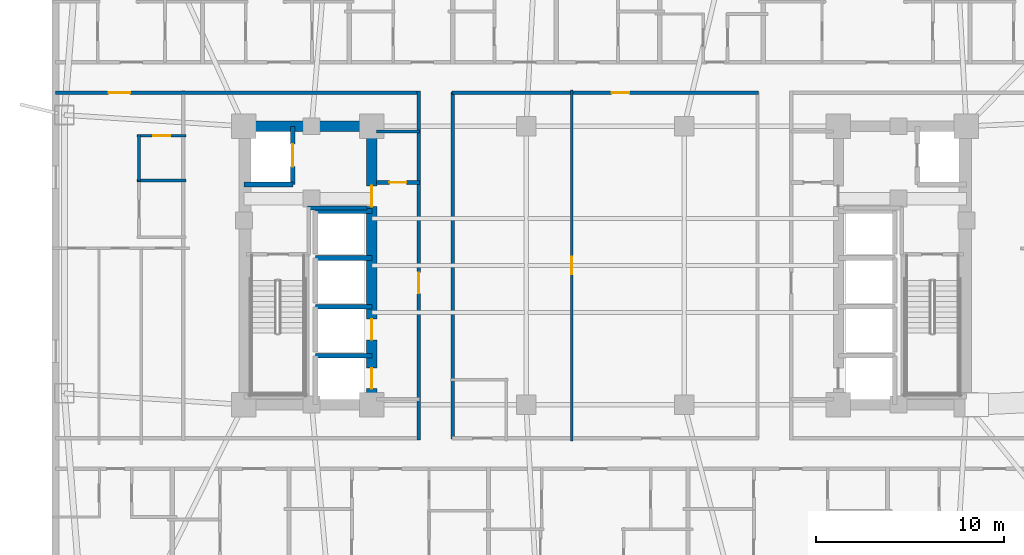
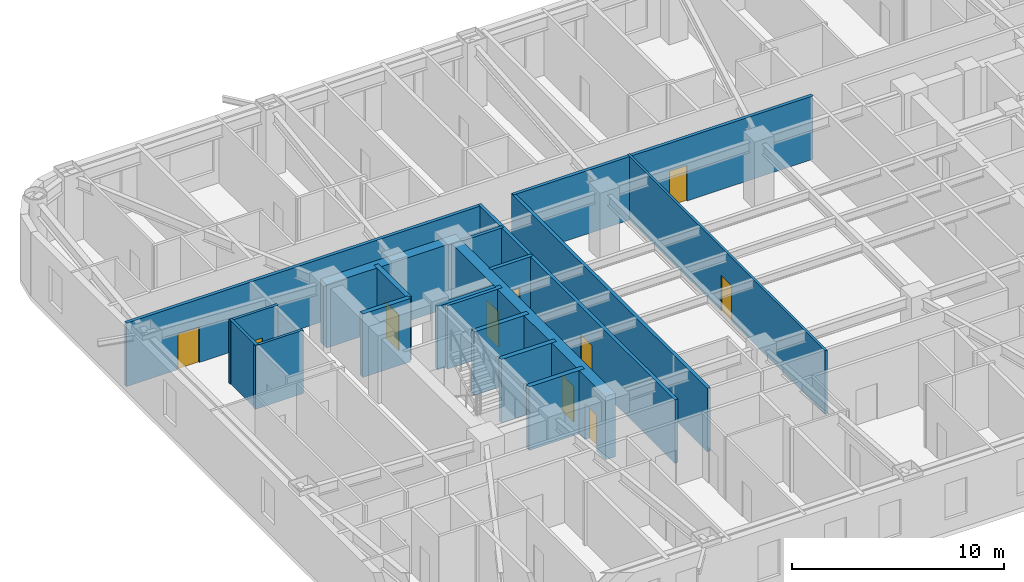
# One storey, part 4 of 12: 19 walls, 10 doors, 10 openings.
"""IFC4 building model written with IfcOpenShell, lengths in metres."""

from ifc_helpers import new_model, si_unit, direction, frame, frame_2d, origin, place, context, subcontext, project, spatial, rectangle, extrude, material, layer, layer_set, type_object, element, fill, save


model = new_model("IFC4")

# Units and contexts
model_context = context("Model", 3, precision=1e-05, world=origin(), true_north=direction((0.0, 1.0)))
body_context = subcontext(model_context, "Body", "Model", "MODEL_VIEW")
ifc_project = project(units=[si_unit("LENGTHUNIT", "METRE"), si_unit("AREAUNIT", "SQUARE_METRE"), si_unit("VOLUMEUNIT", "CUBIC_METRE"), si_unit("PLANEANGLEUNIT", "RADIAN"), si_unit("MASSUNIT", "GRAM", prefix="KILO")], contexts=[model_context])

# Site, building, storey
site_placement = place(None, origin())
site = spatial("IfcSite", under=ifc_project, at=site_placement, CompositionType="ELEMENT")
building_placement = place(site_placement, origin())
building = spatial("IfcBuilding", under=site, at=building_placement, Name="Voryun Gate Residences", CompositionType="ELEMENT")
storey_placement = place(building_placement, frame((0.0, 0.0, 109.199951171875)))
storey = spatial("IfcBuildingStorey", under=building, at=storey_placement, Name="L26", CompositionType="ELEMENT", Elevation=109.199951171875)

# Wall
ifc_material_1 = material(Name="Concrete C60/75", Category="concrete")
ifc_layer_1 = layer(ifc_material_1, 0.550048828125, Name="CW_CORE_550")
ifc_layer_set_1 = layer_set([ifc_layer_1], Name="Concrete C60/75")
wall_type_1 = type_object("IfcWallType", Name="CW_CORE_550", PredefinedType="SHEAR", material=ifc_layer_set_1)
wall_1_placement = place(storey_placement, frame((-19.47509765625, 7.39990234375, 0.0), z_axis=(0.0, 0.0, 1.0), x_axis=(1.0, 0.0, 0.0)))
element("IfcWall", 1, at=wall_1_placement, inside=storey, type_object=wall_type_1, Name="L26 Core shear wall CW-L26-WN", PredefinedType="SHEAR", context=body_context, shape_type="SweptSolid", body=[
    extrude(rectangle(XDim=7.35009765625, YDim=0.550048828125, at=frame_2d((3.675048828125, 0.0))), origin(), (0.0, 0.0, 1.0), 3.650146484375),
])

# Wall, openings, doors
wall_2_placement = place(storey_placement, frame((-12.39990234375, -7.39990234375, 0.0), z_axis=(0.0, 0.0, 1.0), x_axis=(0.0, 1.0, 0.0)))
wall_2 = element("IfcWall", 2, at=wall_2_placement, inside=storey, type_object=wall_type_1, Name="L26 Core shear wall CW-L26-WE", PredefinedType="SHEAR", context=body_context, shape_type="SweptSolid", body=[
    extrude(rectangle(XDim=14.7998046875, YDim=0.550048828125, at=frame_2d((7.39990234375, 0.0))), origin(), (0.0, 0.0, 1.0), 3.650146484375),
])
opening_1_placement = place(wall_2_placement, frame((0.85009765625, 0.0, 0.0)))
opening_1 = element("IfcOpeningElement", 3, at=opening_1_placement, cuts=wall_2, Name="Opening LD2", PredefinedType="OPENING", context=body_context, shape_type="SweptSolid", body=[
    extrude(rectangle(XDim=1.10009765625, YDim=2.050048828125, at=frame_2d((0.550048828125, 1.02490234375))), frame((0.0, 0.284912109375, 0.0), z_axis=(0.0, -1.0, 0.0), x_axis=(1.0, 0.0, 0.0)), (0.0, 0.0, 1.0), 0.570068359375),
])
opening_2_placement = place(wall_2_placement, frame((3.449951171875, 0.0, 0.0)))
opening_2 = element("IfcOpeningElement", 4, at=opening_2_placement, cuts=wall_2, Name="Opening LD2", PredefinedType="OPENING", context=body_context, shape_type="SweptSolid", body=[
    extrude(rectangle(XDim=1.10009765625, YDim=2.050048828125, at=frame_2d((0.550048828125, 1.02490234375))), frame((0.0, 0.284912109375, 0.0), z_axis=(0.0, -1.0, 0.0), x_axis=(1.0, 0.0, 0.0)), (0.0, 0.0, 1.0), 0.570068359375),
])
opening_3_placement = place(wall_2_placement, frame((10.530029296875, 0.0, 0.0)))
opening_3 = element("IfcOpeningElement", 5, at=opening_3_placement, cuts=wall_2, Name="Opening D-FD60-2", PredefinedType="OPENING", context=body_context, shape_type="SweptSolid", body=[
    extrude(rectangle(XDim=1.10009765625, YDim=2.050048828125, at=frame_2d((0.550048828125, 1.02490234375))), frame((0.0, 0.284912109375, 0.0), z_axis=(0.0, -1.0, 0.0), x_axis=(1.0, 0.0, 0.0)), (0.0, 0.0, 1.0), 0.570068359375),
])
ifc_material_2 = material(Name="Painted steel fire door", Category="steel")
door_type_1 = type_object("IfcDoorType", Name="DR_FD60_FFLOB_1100", OperationType="NOTDEFINED", PredefinedType="DOOR", material=ifc_material_2)
door_1_placement = place(opening_3_placement, origin())
door_1 = element("IfcDoor", 6, at=door_1_placement, inside=storey, type_object=door_type_1, Name="Door DR-L26-CLOB-W", OperationType="SINGLE_SWING_LEFT", OverallHeight=2.050048828125, OverallWidth=1.10009765625, PredefinedType="DOOR", context=body_context, shape_type="SweptSolid", body=[
    extrude(rectangle(XDim=1.10009765625, YDim=2.050048828125, at=frame_2d((0.550048828125, 1.02490234375))), frame((0.0, 0.02490234375, 0.0), z_axis=(0.0, -1.0, 0.0), x_axis=(1.0, 0.0, 0.0)), (0.0, 0.0, 1.0), 0.050048828125),
])
fill(opening_3, door_1)
ifc_material_3 = material(Name="Anodised aluminium", Category="aluminium")
door_type_2 = type_object("IfcDoorType", Name="DR_LD_PASS_1100", OperationType="NOTDEFINED", PredefinedType="DOOR", material=ifc_material_3)
door_2_placement = place(opening_1_placement, origin())
door_2 = element("IfcDoor", 7, at=door_2_placement, inside=storey, type_object=door_type_2, Name="Lift EL-P1 sliding landing door L26", OperationType="SLIDING_TO_LEFT", OverallHeight=2.050048828125, OverallWidth=1.10009765625, PredefinedType="DOOR", context=body_context, shape_type="SweptSolid", body=[
    extrude(rectangle(XDim=1.10009765625, YDim=2.050048828125, at=frame_2d((0.550048828125, 1.02490234375))), frame((0.0, 0.02490234375, 0.0), z_axis=(0.0, -1.0, 0.0), x_axis=(1.0, 0.0, 0.0)), (0.0, 0.0, 1.0), 0.050048828125),
])
fill(opening_1, door_2)
door_3_placement = place(opening_2_placement, origin())
door_3 = element("IfcDoor", 8, at=door_3_placement, inside=storey, type_object=door_type_2, Name="Lift EL-P2 sliding landing door L26", OperationType="SLIDING_TO_LEFT", OverallHeight=2.050048828125, OverallWidth=1.10009765625, PredefinedType="DOOR", context=body_context, shape_type="SweptSolid", body=[
    extrude(rectangle(XDim=1.10009765625, YDim=2.050048828125, at=frame_2d((0.550048828125, 1.02490234375))), frame((0.0, 0.02490234375, 0.0), z_axis=(0.0, -1.0, 0.0), x_axis=(1.0, 0.0, 0.0)), (0.0, 0.0, 1.0), 0.050048828125),
])
fill(opening_2, door_3)

# Wall
ifc_material_4 = material(Name="Gypsum acoustic fireboard")
ifc_layer_2 = layer(ifc_material_4, 0.179931640625, Name="W_CORR_RATED_180")
ifc_layer_set_2 = layer_set([ifc_layer_2], Name="Gypsum acoustic fireboard")
wall_type_2 = type_object("IfcWallType", Name="W_CORR_RATED_180", PredefinedType="PARTITIONING", material=ifc_layer_set_2)
wall_3_placement = place(storey_placement, frame((-12.14990234375, 7.1201171875, 0.0), z_axis=(0.0, 0.0, 1.0), x_axis=(1.0, 0.0, 0.0)))
element("IfcWall", 9, at=wall_3_placement, inside=storey, type_object=wall_type_2, Name="Partition wall WP-L26-PLBN-W", PredefinedType="PARTITIONING", context=body_context, shape_type="SweptSolid", body=[
    extrude(rectangle(XDim=2.27001953125, YDim=0.179931640625, at=frame_2d((1.135009765625, 0.0))), origin(), (0.0, 0.0, 1.0), 3.650146484375),
])

# Wall, opening, door
wall_4_placement = place(storey_placement, frame((-9.89990234375, -9.280029296875, 0.0), z_axis=(0.0, 0.0, 1.0), x_axis=(0.0, 1.0, 0.0)))
wall_4 = element("IfcWall", 10, at=wall_4_placement, inside=storey, type_object=wall_type_2, Name="Partition wall WP-L26-PLBW-FULL", PredefinedType="PARTITIONING", context=body_context, shape_type="SweptSolid", body=[
    extrude(rectangle(XDim=18.56005859375, YDim=0.179931640625, at=frame_2d((9.280029296875, 0.0))), origin(), (0.0, 0.0, 1.0), 3.650146484375),
])
opening_4_placement = place(wall_4_placement, frame((7.802001953125, 0.0, 0.0)))
opening_4 = element("IfcOpeningElement", 11, at=opening_4_placement, cuts=wall_4, Name="Opening D-FD60-2", PredefinedType="OPENING", context=body_context, shape_type="SweptSolid", body=[
    extrude(rectangle(XDim=1.10009765625, YDim=2.050048828125, at=frame_2d((0.550048828125, 1.02490234375))), frame((0.0, 0.099853515625, 0.0), z_axis=(0.0, -1.0, 0.0), x_axis=(1.0, 0.0, 0.0)), (0.0, 0.0, 1.0), 0.199951171875),
])
door_4_placement = place(opening_4_placement, origin())
door_4 = element("IfcDoor", 12, at=door_4_placement, inside=storey, type_object=door_type_1, Name="Door DR-L26-PLBW-COR", OperationType="SINGLE_SWING_LEFT", OverallHeight=2.050048828125, OverallWidth=1.10009765625, PredefinedType="DOOR", context=body_context, shape_type="SweptSolid", body=[
    extrude(rectangle(XDim=1.10009765625, YDim=2.050048828125, at=frame_2d((0.550048828125, 1.02490234375))), frame((0.0, 0.02490234375, 0.0), z_axis=(0.0, -1.0, 0.0), x_axis=(1.0, 0.0, 0.0)), (0.0, 0.0, 1.0), 0.050048828125),
])
fill(opening_4, door_4)

wall_5_placement = place(storey_placement, frame((-29.2099609375, 9.18994140625, 0.0), z_axis=(0.0, 0.0, 1.0), x_axis=(1.0, 0.0, 0.0)))
wall_5 = element("IfcWall", 13, at=wall_5_placement, inside=storey, type_object=wall_type_2, Name="Partition wall WP-L26-CWING-WN", PredefinedType="PARTITIONING", context=body_context, shape_type="SweptSolid", body=[
    extrude(rectangle(XDim=19.330078125, YDim=0.179931640625, at=frame_2d((9.6650390625, 0.0))), origin(), (0.0, 0.0, 1.0), 3.650146484375),
])
opening_5_placement = place(wall_5_placement, frame((2.8154296875, 0.0, 0.0)))
opening_5 = element("IfcOpeningElement", 14, at=opening_5_placement, cuts=wall_5, Name="Opening D-UNIT-1", PredefinedType="OPENING", context=body_context, shape_type="SweptSolid", body=[
    extrude(rectangle(XDim=1.14990234375, YDim=2.050048828125, at=frame_2d((0.574951171875, 1.02490234375))), frame((0.0, 0.099853515625, 0.0), z_axis=(0.0, -1.0, 0.0), x_axis=(1.0, 0.0, 0.0)), (0.0, 0.0, 1.0), 0.199951171875),
])
ifc_material_5 = material(Name="Armoured timber-clad fire door", Category="wood")
door_type_3 = type_object("IfcDoorType", Name="DR_UNIT_ENTRY_1150", OperationType="NOTDEFINED", PredefinedType="DOOR", material=ifc_material_5)
door_5_placement = place(opening_5_placement, origin())
door_5 = element("IfcDoor", 15, at=door_5_placement, inside=storey, type_object=door_type_3, Name="Door DR-L26-WE1N", OperationType="SINGLE_SWING_LEFT", OverallHeight=2.050048828125, OverallWidth=1.14990234375, PredefinedType="DOOR", context=body_context, shape_type="SweptSolid", body=[
    extrude(rectangle(XDim=1.14990234375, YDim=2.050048828125, at=frame_2d((0.574951171875, 1.02490234375))), frame((0.0, 0.02490234375, 0.0), z_axis=(0.0, -1.0, 0.0), x_axis=(1.0, 0.0, 0.0)), (0.0, 0.0, 1.0), 0.050048828125),
])
fill(opening_5, door_5)

wall_6_placement = place(storey_placement, frame((-8.14990234375, 9.18994140625, 0.0), z_axis=(0.0, 0.0, 1.0), x_axis=(1.0, 0.0, 0.0)))
wall_6 = element("IfcWall", 16, at=wall_6_placement, inside=storey, type_object=wall_type_2, Name="Partition wall WP-L26-Z1N", PredefinedType="PARTITIONING", context=body_context, shape_type="SweptSolid", body=[
    extrude(rectangle(XDim=16.2998046875, YDim=0.179931640625, at=frame_2d((8.14990234375, 0.0))), origin(), (0.0, 0.0, 1.0), 3.650146484375),
])
opening_6_placement = place(wall_6_placement, frame((8.489990234375, 0.0, 0.0)))
opening_6 = element("IfcOpeningElement", 17, at=opening_6_placement, cuts=wall_6, Name="Opening D-INT-1", PredefinedType="OPENING", context=body_context, shape_type="SweptSolid", body=[
    extrude(rectangle(XDim=0.949951171875, YDim=2.050048828125, at=frame_2d((0.47509765625, 1.02490234375))), frame((0.0, 0.099853515625, 0.0), z_axis=(0.0, -1.0, 0.0), x_axis=(1.0, 0.0, 0.0)), (0.0, 0.0, 1.0), 0.199951171875),
])
ifc_material_6 = material(Name="Architectural oak veneer")
door_type_4 = type_object("IfcDoorType", Name="DR_INT_ROOM_950", OperationType="NOTDEFINED", PredefinedType="DOOR", material=ifc_material_6)
door_6_placement = place(opening_6_placement, origin())
door_6 = element("IfcDoor", 18, at=door_6_placement, inside=storey, type_object=door_type_4, Name="Door DR-L26-CMIDZ1N", OperationType="SINGLE_SWING_LEFT", OverallHeight=2.050048828125, OverallWidth=0.949951171875, PredefinedType="DOOR", context=body_context, shape_type="SweptSolid", body=[
    extrude(rectangle(XDim=0.949951171875, YDim=2.050048828125, at=frame_2d((0.47509765625, 1.02490234375))), frame((0.0, 0.02490234375, 0.0), z_axis=(0.0, -1.0, 0.0), x_axis=(1.0, 0.0, 0.0)), (0.0, 0.0, 1.0), 0.050048828125),
])
fill(opening_6, door_6)

# Walls
wall_7_placement = place(storey_placement, frame((-8.10009765625, -9.22998046875, 0.0), z_axis=(0.0, 0.0, 1.0), x_axis=(0.0, 1.0, 0.0)))
element("IfcWall", 19, at=wall_7_placement, inside=storey, type_object=wall_type_2, Name="Partition wall WP-L26-Z1W", PredefinedType="PARTITIONING", context=body_context, shape_type="SweptSolid", body=[
    extrude(rectangle(XDim=18.4599609375, YDim=0.179931640625, at=frame_2d((9.22998046875, 0.0))), origin(), (0.0, 0.0, 1.0), 3.650146484375),
])
ifc_material_7 = material(Name="Concrete C40/50", Category="concrete")
ifc_layer_3 = layer(ifc_material_7, 0.199951171875, Name="W_FF_LOBBY_200")
ifc_layer_set_3 = layer_set([ifc_layer_3], Name="Concrete C40/50")
wall_type_3 = type_object("IfcWallType", Name="W_FF_LOBBY_200", PredefinedType="PARTITIONING", material=ifc_layer_set_3)
wall_8_placement = place(storey_placement, frame((-15.820068359375, 3.06005859375, 0.0), z_axis=(0.0, 0.0, 1.0), x_axis=(1.0, 0.0, 0.0)))
element("IfcWall", 20, at=wall_8_placement, inside=storey, type_object=wall_type_3, Name="Partition wall WP-L26-FFPS-W", PredefinedType="PARTITIONING", context=body_context, shape_type="SweptSolid", body=[
    extrude(rectangle(XDim=3.16015625, YDim=0.199951171875, at=frame_2d((1.580078125, 0.0))), origin(), (0.0, 0.0, 1.0), 3.650146484375),
])

# Wall, opening, door
wall_9_placement = place(storey_placement, frame((-12.14990234375, 4.409912109375, 0.0), z_axis=(0.0, 0.0, 1.0), x_axis=(1.0, 0.0, 0.0)))
wall_9 = element("IfcWall", 21, at=wall_9_placement, inside=storey, type_object=wall_type_3, Name="Partition wall WP-L26-CSFLKS-W", PredefinedType="PARTITIONING", context=body_context, shape_type="SweptSolid", body=[
    extrude(rectangle(XDim=2.27001953125, YDim=0.199951171875, at=frame_2d((1.135009765625, 0.0))), origin(), (0.0, 0.0, 1.0), 3.650146484375),
])
opening_7_placement = place(wall_9_placement, frame((0.68505859375, 0.0, 0.0)))
opening_7 = element("IfcOpeningElement", 22, at=opening_7_placement, cuts=wall_9, Name="Opening D-FD60-4", PredefinedType="OPENING", context=body_context, shape_type="SweptSolid", body=[
    extrude(rectangle(XDim=0.89990234375, YDim=2.050048828125, at=frame_2d((0.449951171875, 1.02490234375))), frame((0.0, 0.110107421875, 0.0), z_axis=(0.0, -1.0, 0.0), x_axis=(1.0, 0.0, 0.0)), (0.0, 0.0, 1.0), 0.219970703125),
])
ifc_material_8 = material(Name="Painted steel fire door", Category="steel")
door_type_5 = type_object("IfcDoorType", Name="DR_FD60_RISER_900", OperationType="NOTDEFINED", PredefinedType="DOOR", material=ifc_material_8)
door_7_placement = place(opening_7_placement, origin())
door_7 = element("IfcDoor", 23, at=door_7_placement, inside=storey, type_object=door_type_5, Name="Door DR-L26-CSFLK-W", OperationType="SINGLE_SWING_LEFT", OverallHeight=2.050048828125, OverallWidth=0.89990234375, PredefinedType="DOOR", context=body_context, shape_type="SweptSolid", body=[
    extrude(rectangle(XDim=0.89990234375, YDim=2.050048828125, at=frame_2d((0.449951171875, 1.02490234375))), frame((0.0, 0.02490234375, 0.0), z_axis=(0.0, -1.0, 0.0), x_axis=(1.0, 0.0, 0.0)), (0.0, 0.0, 1.0), 0.050048828125),
])
fill(opening_7, door_7)

# Wall
ifc_material_9 = material(Name="Concrete C50/60", Category="concrete")
ifc_layer_4 = layer(ifc_material_9, 0.25, Name="W_SHAFT_RC250")
ifc_layer_set_4 = layer_set([ifc_layer_4], Name="Concrete C50/60")
wall_type_4 = type_object("IfcWallType", Name="W_SHAFT_RC250", PredefinedType="SOLIDWALL", material=ifc_layer_set_4)
wall_10_placement = place(storey_placement, frame((-19.199951171875, 4.300048828125, 0.0), z_axis=(0.0, 0.0, 1.0), x_axis=(1.0, 0.0, 0.0)))
element("IfcWall", 24, at=wall_10_placement, inside=storey, type_object=wall_type_4, Name="Lift shaft wall WSH-L26-EL-FF-W1-S", PredefinedType="SOLIDWALL", context=body_context, shape_type="SweptSolid", body=[
    extrude(rectangle(XDim=2.599853515625, YDim=0.25, at=frame_2d((1.2998046875, 0.0))), origin(), (0.0, 0.0, 1.0), 3.650146484375),
])

# Wall, opening, door
wall_11_placement = place(storey_placement, frame((-16.60009765625, 4.300048828125, 0.0), z_axis=(0.0, 0.0, 1.0), x_axis=(0.0, 1.0, 0.0)))
wall_11 = element("IfcWall", 25, at=wall_11_placement, inside=storey, type_object=wall_type_4, Name="Lift shaft wall WSH-L26-EL-FF-W1-E", PredefinedType="SOLIDWALL", context=body_context, shape_type="SweptSolid", body=[
    extrude(rectangle(XDim=3.099853515625, YDim=0.25, at=frame_2d((1.5498046875, 0.0))), origin(), (0.0, 0.0, 1.0), 3.650146484375),
])
opening_8_placement = place(wall_11_placement, frame((0.949951171875, 0.0, 0.0)))
opening_8 = element("IfcOpeningElement", 26, at=opening_8_placement, cuts=wall_11, Name="Opening LD1", PredefinedType="OPENING", context=body_context, shape_type="SweptSolid", body=[
    extrude(rectangle(XDim=1.199951171875, YDim=2.050048828125, at=frame_2d((0.60009765625, 1.02490234375))), frame((0.0, 0.135009765625, 0.0), z_axis=(0.0, -1.0, 0.0), x_axis=(1.0, 0.0, 0.0)), (0.0, 0.0, 1.0), 0.27001953125),
])
ifc_material_10 = material(Name="Anodised aluminium", Category="aluminium")
door_type_6 = type_object("IfcDoorType", Name="DR_LD_FF_1200", OperationType="NOTDEFINED", PredefinedType="DOOR", material=ifc_material_10)
door_8_placement = place(opening_8_placement, origin())
door_8 = element("IfcDoor", 27, at=door_8_placement, inside=storey, type_object=door_type_6, Name="Lift EL-FF-W1 sliding landing door L26", OperationType="SLIDING_TO_LEFT", OverallHeight=2.050048828125, OverallWidth=1.199951171875, PredefinedType="DOOR", context=body_context, shape_type="SweptSolid", body=[
    extrude(rectangle(XDim=1.199951171875, YDim=2.050048828125, at=frame_2d((0.60009765625, 1.02490234375))), frame((0.0, 0.02490234375, 0.0), z_axis=(0.0, -1.0, 0.0), x_axis=(1.0, 0.0, 0.0)), (0.0, 0.0, 1.0), 0.050048828125),
])
fill(opening_8, door_8)

# Walls
for number, where, z_axis, x_axis, name in (
    (28, (-12.39990234375, -4.800048828125, 0.0), (0.0, 0.0, 1.0), (-1.0, 0.0, 0.0), "Lift shaft wall WSH-L26-EL-P1-N"),
    (29, (-12.39990234375, -2.199951171875, 0.0), (0.0, 0.0, 1.0), (-1.0, 0.0, 0.0), "Lift shaft wall WSH-L26-EL-P2-N"),
    (30, (-12.39990234375, 0.39990234375, 0.0), (0.0, 0.0, 1.0), (-1.0, 0.0, 0.0), "Lift shaft wall WSH-L26-EL-P4-N"),
    (31, (-12.39990234375, 2.89990234375, 0.0), (0.0, 0.0, 1.0), (-1.0, 0.0, 0.0), "Lift shaft wall WSH-L26-EL-P7-N"),
):
    element("IfcWall", number, at=place(storey_placement, frame(where, z_axis=z_axis, x_axis=x_axis)), inside=storey, type_object=wall_type_4, Name=name, PredefinedType="SOLIDWALL", context=body_context, shape_type="SweptSolid", body=[
        extrude(rectangle(XDim=3.0, YDim=0.25, at=frame_2d((1.5, 0.0))), origin(), (0.0, 0.0, 1.0), 3.650146484375),
    ])

# Wall, opening, door
ifc_material_11 = material(Name="Gypsum acoustic partition")
ifc_layer_5 = layer(ifc_material_11, 0.125, Name="W_UNIT_PART_125")
ifc_layer_set_5 = layer_set([ifc_layer_5], Name="Gypsum acoustic partition")
wall_type_5 = type_object("IfcWallType", Name="W_UNIT_PART_125", PredefinedType="PARTITIONING", material=ifc_layer_set_5)
wall_12_placement = place(storey_placement, frame((-1.77294921875, -9.320068359375, 0.0), z_axis=(0.0, 0.0, 1.0), x_axis=(0.0, 1.0, 0.0)))
wall_12 = element("IfcWall", 32, at=wall_12_placement, inside=storey, type_object=wall_type_5, Name="Partition wall WP-L26-MIDX-0", PredefinedType="PARTITIONING", context=body_context, shape_type="SweptSolid", body=[
    extrude(rectangle(XDim=18.64013671875, YDim=0.125, at=frame_2d((9.320068359375, 0.0))), origin(), (0.0, 0.0, 1.0), 3.650146484375),
])
opening_9_placement = place(wall_12_placement, frame((8.844970703125, 0.0, 0.0)))
opening_9 = element("IfcOpeningElement", 33, at=opening_9_placement, cuts=wall_12, Name="Opening D-INT-1", PredefinedType="OPENING", context=body_context, shape_type="SweptSolid", body=[
    extrude(rectangle(XDim=0.949951171875, YDim=2.050048828125, at=frame_2d((0.47509765625, 1.02490234375))), frame((0.0, 0.072509765625, 0.0), z_axis=(0.0, -1.0, 0.0), x_axis=(1.0, 0.0, 0.0)), (0.0, 0.0, 1.0), 0.14501953125),
])
door_9_placement = place(opening_9_placement, origin())
door_9 = element("IfcDoor", 34, at=door_9_placement, inside=storey, type_object=door_type_4, Name="Door DR-L26-MIDX-0", OperationType="SINGLE_SWING_LEFT", OverallHeight=2.050048828125, OverallWidth=0.949951171875, PredefinedType="DOOR", context=body_context, shape_type="SweptSolid", body=[
    extrude(rectangle(XDim=0.949951171875, YDim=2.050048828125, at=frame_2d((0.47509765625, 1.02490234375))), frame((0.0, 0.02490234375, 0.0), z_axis=(0.0, -1.0, 0.0), x_axis=(1.0, 0.0, 0.0)), (0.0, 0.0, 1.0), 0.050048828125),
])
fill(opening_9, door_9)

ifc_material_12 = material(Name="Gypsum moisture-resistant partition")
ifc_layer_6 = layer(ifc_material_12, 0.14990234375, Name="W_WET_PLUMB_150")
ifc_layer_set_6 = layer_set([ifc_layer_6], Name="Gypsum moisture-resistant partition")
wall_type_6 = type_object("IfcWallType", Name="W_WET_PLUMB_150", PredefinedType="PLUMBINGWALL", material=ifc_layer_set_6)
wall_13_placement = place(storey_placement, frame((-24.889892578125, 6.89990234375, 0.0), z_axis=(0.0, 0.0, 1.0), x_axis=(1.0, 0.0, 0.0)))
wall_13 = element("IfcWall", 35, at=wall_13_placement, inside=storey, type_object=wall_type_6, Name="Partition wall WP-L26-W1-IBT", PredefinedType="PLUMBINGWALL", context=body_context, shape_type="SweptSolid", body=[
    extrude(rectangle(XDim=2.619873046875, YDim=0.14990234375, at=frame_2d((1.31005859375, 0.0))), origin(), (0.0, 0.0, 1.0), 3.650146484375),
])
opening_10_placement = place(wall_13_placement, frame((0.860107421875, 0.0, 0.0)))
opening_10 = element("IfcOpeningElement", 36, at=opening_10_placement, cuts=wall_13, Name="Opening D-INT-2", PredefinedType="OPENING", context=body_context, shape_type="SweptSolid", body=[
    extrude(rectangle(XDim=0.89990234375, YDim=2.050048828125, at=frame_2d((0.449951171875, 1.02490234375))), frame((0.0, 0.0849609375, 0.0), z_axis=(0.0, -1.0, 0.0), x_axis=(1.0, 0.0, 0.0)), (0.0, 0.0, 1.0), 0.169921875),
])
ifc_material_13 = material(Name="Architectural oak veneer")
door_type_7 = type_object("IfcDoorType", Name="DR_INT_BATH_900", OperationType="NOTDEFINED", PredefinedType="DOOR", material=ifc_material_13)
door_10_placement = place(opening_10_placement, origin())
door_10 = element("IfcDoor", 37, at=door_10_placement, inside=storey, type_object=door_type_7, Name="Door DR-L26-W1-DK", OperationType="SINGLE_SWING_LEFT", OverallHeight=2.050048828125, OverallWidth=0.89990234375, PredefinedType="DOOR", context=body_context, shape_type="SweptSolid", body=[
    extrude(rectangle(XDim=0.89990234375, YDim=2.050048828125, at=frame_2d((0.449951171875, 1.02490234375))), frame((0.0, 0.02490234375, 0.0), z_axis=(0.0, -1.0, 0.0), x_axis=(1.0, 0.0, 0.0)), (0.0, 0.0, 1.0), 0.050048828125),
])
fill(opening_10, door_10)

# Walls
wall_14_placement = place(storey_placement, frame((-24.889892578125, 4.52001953125, 0.0), z_axis=(0.0, 0.0, 1.0), x_axis=(1.0, 0.0, 0.0)))
element("IfcWall", 38, at=wall_14_placement, inside=storey, type_object=wall_type_6, Name="Partition wall WP-L26-W1-IKB", PredefinedType="PLUMBINGWALL", context=body_context, shape_type="SweptSolid", body=[
    extrude(rectangle(XDim=2.619873046875, YDim=0.14990234375, at=frame_2d((1.31005859375, 0.0))), origin(), (0.0, 0.0, 1.0), 3.650146484375),
])
wall_15_placement = place(storey_placement, frame((-24.77001953125, 4.47998046875, 0.0), z_axis=(0.0, 0.0, 1.0), x_axis=(0.0, 1.0, 0.0)))
element("IfcWall", 39, at=wall_15_placement, inside=storey, type_object=wall_type_6, Name="Partition wall WP-L26-W1-VTSK2", PredefinedType="PLUMBINGWALL", context=body_context, shape_type="SweptSolid", body=[
    extrude(rectangle(XDim=2.47998046875, YDim=0.14990234375, at=frame_2d((1.239990234375, 0.0))), origin(), (0.0, 0.0, 1.0), 3.650146484375),
])

save(model, "model.ifc")
